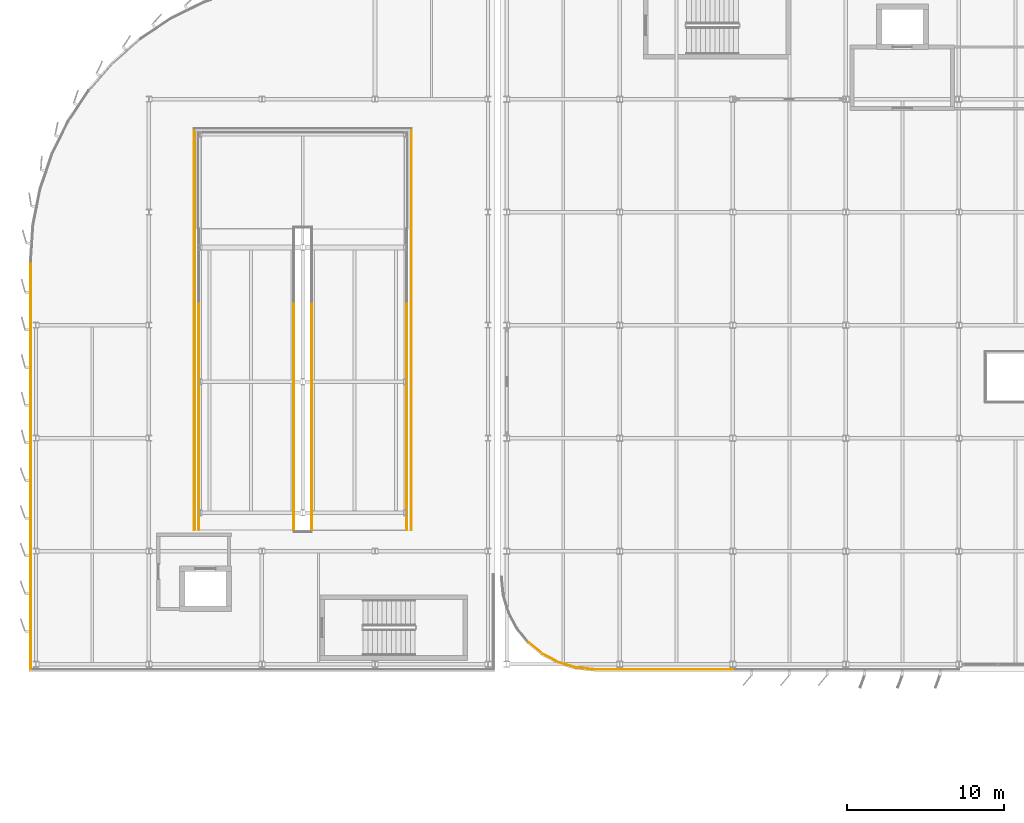
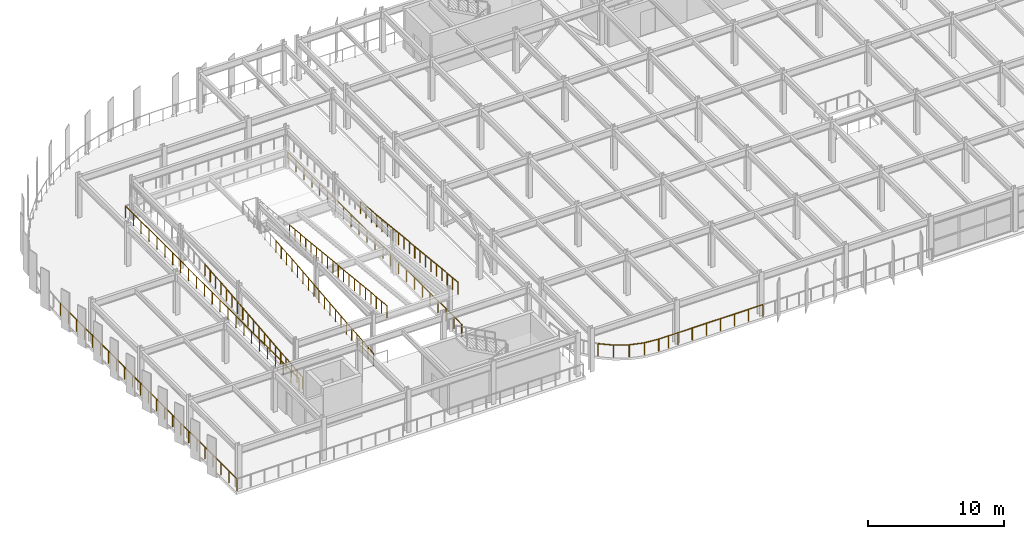
# One storey, part 43 of 52: 21 railings.
"""IFC4 building model written with IfcOpenShell, lengths in metres."""

import ifcopenshell
import ifcopenshell.guid

model = None  # the IFC model being written
_history = None  # IfcOwnerHistory: only IFC2X3 demands one
_inside = {}  # id of a spatial element -> (the spatial element, [elements in it])
_under = {}  # id of a project, library or spatial element -> (it, [spatial elements below it])
_declared = {}  # id of a project -> (the project, [libraries it declares])
_typed = {}  # id of a type object -> (the type object, [elements of that type])
_made_of = {}  # id of a material, layer set ... -> (it, [elements and type objects made of it])


def new_model(schema):
    """Start an empty IFC model of exactly this schema.

    Asked for "IFC4X3", IfcOpenShell would pick the latest addendum, in which some entities
    have other attributes; the version numbers below select the first issue.
    IFC2X3 requires an IfcOwnerHistory on every rooted entity: one is made here for all.
    """
    global model, _history
    if schema == "IFC4X3":
        model = ifcopenshell.file(schema_version=(4, 3, 0, 0))
    else:
        model = ifcopenshell.file(schema=schema)
    _inside.clear()
    _under.clear()
    _declared.clear()
    _typed.clear()
    _made_of.clear()
    _history = None
    if model.schema == "IFC2X3":
        org = make("IfcOrganization", Name="unknown")
        user = make(
            "IfcPersonAndOrganization",
            ThePerson=make("IfcPerson", FamilyName="unknown"),
            TheOrganization=org,
        )
        app = make(
            "IfcApplication",
            ApplicationDeveloper=org,
            Version="unknown",
            ApplicationFullName="unknown",
            ApplicationIdentifier="unknown",
        )
        _history = make(
            "IfcOwnerHistory",
            OwningUser=user,
            OwningApplication=app,
            ChangeAction="ADDED",
            CreationDate=0,
        )
    return model


def make(cls, **values):
    """One entity of the class cls with the attributes given. An attribute that is None is left unset."""
    return model.create_entity(
        cls, **{name: value for name, value in values.items() if value is not None}
    )


def rooted(cls, **values):
    """An entity with a GlobalId (a new one), such as an element, a storey or a relation."""
    return make(cls, GlobalId=ifcopenshell.guid.new(), OwnerHistory=_history, **values)


def si_unit(unit_type, name, prefix=None):
    """IfcSIUnit, for example si_unit("LENGTHUNIT", "METRE", prefix="MILLI")."""
    return make("IfcSIUnit", UnitType=unit_type, Prefix=prefix, Name=name)


def assignment(units):
    """IfcUnitAssignment: the units of a project."""
    return None if units is None else make("IfcUnitAssignment", Units=units)


def point(xyz):
    """IfcCartesianPoint."""
    return None if xyz is None else make("IfcCartesianPoint", Coordinates=xyz)


def direction(xyz):
    """IfcDirection."""
    return None if xyz is None else make("IfcDirection", DirectionRatios=xyz)


def frame(location, z_axis=None, x_axis=None):
    """IfcAxis2Placement3D, a coordinate frame: its origin and axes. An axis left out is left unset."""
    return make(
        "IfcAxis2Placement3D",
        Location=point(location),
        Axis=direction(z_axis),
        RefDirection=direction(x_axis),
    )


def frame_2d(location, x_axis=None):
    """IfcAxis2Placement2D, a coordinate frame in the plane: its origin and x axis."""
    return make(
        "IfcAxis2Placement2D", Location=point(location), RefDirection=direction(x_axis)
    )


def origin():
    """The frame at (0, 0, 0) with its axes left unset."""
    return frame((0.0, 0.0, 0.0))


def origin_2d():
    """The frame at (0, 0) in the plane with its x axis left unset."""
    return frame_2d((0.0, 0.0))


def place(relative_to, where):
    """IfcLocalPlacement: puts the frame where relative to a parent placement (None: the world)."""
    return make(
        "IfcLocalPlacement", PlacementRelTo=relative_to, RelativePlacement=where
    )


def context(
    kind, dimensions, precision=None, world=None, true_north=None, identifier=None
):
    """IfcGeometricRepresentationContext, for example the 3D "Model" context."""
    return make(
        "IfcGeometricRepresentationContext",
        ContextIdentifier=identifier,
        ContextType=kind,
        CoordinateSpaceDimension=dimensions,
        Precision=precision,
        WorldCoordinateSystem=world,
        TrueNorth=true_north,
    )


def subcontext(parent, identifier, kind, view, scale=None):
    """IfcGeometricRepresentationSubContext, for example "Body" below "Model"."""
    return make(
        "IfcGeometricRepresentationSubContext",
        ContextIdentifier=identifier,
        ContextType=kind,
        ParentContext=parent,
        TargetScale=scale,
        TargetView=view,
    )


def project(units=None, contexts=None):
    """IfcProject with its units and contexts."""
    return rooted(
        "IfcProject",
        Name="project",
        RepresentationContexts=contexts,
        UnitsInContext=assignment(units),
    )


def spatial(cls, under=None, at=None, **own):
    """A site, building, storey or space (cls), placed at a placement, below another one or the project."""
    s = rooted(cls, ObjectPlacement=at, **own)
    if under is not None:
        _under.setdefault(under.id(), (under, []))[1].append(s)
    return s


def profile(cls, at=None, kind="AREA", **sizes):
    """A parametric profile (cls). Its sizes go by their IFC names, for example OverallWidth=200.0."""
    return make(cls, ProfileType=kind, Position=at, **sizes)


def circle(**sizes):
    """IfcCircleProfileDef."""
    return profile("IfcCircleProfileDef", **sizes)


def extrude(swept, where, along, depth):
    """IfcExtrudedAreaSolid: the profile swept, set in the frame where, extruded along a direction by depth."""
    return make(
        "IfcExtrudedAreaSolid",
        SweptArea=swept,
        Position=where,
        ExtrudedDirection=direction(along),
        Depth=depth,
    )


def shape(context_of_items, identifier, shape_type, items):
    """IfcShapeRepresentation: the items that make up one representation, for example the "Body"."""
    return make(
        "IfcShapeRepresentation",
        ContextOfItems=context_of_items,
        RepresentationIdentifier=identifier,
        RepresentationType=shape_type,
        Items=items,
    )


def material(Name=None, Category=None):
    """IfcMaterial."""
    return make("IfcMaterial", Name=Name, Category=Category)


def layer(
    of_material, thickness, ventilated=None, Name=None, Category=None, Priority=None
):
    """IfcMaterialLayer: one layer of a wall or slab, of a material (None: an air gap)."""
    return make(
        "IfcMaterialLayer",
        Material=of_material,
        LayerThickness=thickness,
        IsVentilated=ventilated,
        Name=Name,
        Category=Category,
        Priority=Priority,
    )


def layer_set(layers, Name=None):
    """IfcMaterialLayerSet."""
    return make("IfcMaterialLayerSet", MaterialLayers=layers, LayerSetName=Name)


def made_of(thing, what):
    """Note that an element or type object is made of a material, layer set ...; save() writes the relation."""
    if what is not None:
        _made_of.setdefault(what.id(), (what, []))[1].append(thing)
    return thing


def type_object(cls, material=None, **own):
    """A type object (cls), such as IfcWallType, which elements share."""
    return made_of(rooted(cls, **own), material)


def element(
    cls,
    number,
    at=None,
    inside=None,
    cuts=None,
    type_object=None,
    material=None,
    context=None,
    identifier="Body",
    shape_type=None,
    held_by="IfcProductDefinitionShape",
    body=None,
    shapes=None,
    **own,
):
    """One element of the class cls, such as IfcWall. Its Tag is "e" and its number.

    at: its placement. inside: the storey or other place that contains it. cuts: it is an
    opening in that element (IfcRelVoidsElement). A single representation is given by context,
    identifier, shape_type and body (its items); several are given by shapes. held_by: the class
    of the entity that holds the representations. save() writes the other relations.
    """
    e = rooted(cls, Tag="e%d" % number, ObjectPlacement=at, **own)
    if body is not None:
        shapes = [shape(context, identifier, shape_type, body)]
    if shapes is not None:
        e.Representation = make(held_by, Representations=shapes)
    if inside is not None:
        _inside.setdefault(inside.id(), (inside, []))[1].append(e)
    if cuts is not None:
        rooted(
            "IfcRelVoidsElement", RelatingBuildingElement=cuts, RelatedOpeningElement=e
        )
    if type_object is not None:
        _typed.setdefault(type_object.id(), (type_object, []))[1].append(e)
    return made_of(e, material)


def aggregate(whole, parts):
    """IfcRelAggregates: a whole, such as a stair, and the parts it consists of."""
    return rooted("IfcRelAggregates", RelatingObject=whole, RelatedObjects=parts)


def save(model, path):
    """Write the relations noted so far, then the file.

    IfcRelAggregates (storeys below a building ...), IfcRelContainedInSpatialStructure (elements
    in a storey), IfcRelDefinesByType, IfcRelAssociatesMaterial and IfcRelDeclares: one each for
    every whole, place, type object, material and project.
    """
    for whole, parts in _under.values():
        aggregate(whole, parts)
    for where, things in _inside.values():
        rooted(
            "IfcRelContainedInSpatialStructure",
            RelatedElements=things,
            RelatingStructure=where,
        )
    for kind, things in _typed.values():
        rooted("IfcRelDefinesByType", RelatedObjects=things, RelatingType=kind)
    for what, things in _made_of.values():
        rooted("IfcRelAssociatesMaterial", RelatedObjects=things, RelatingMaterial=what)
    for by, libraries in _declared.values():
        rooted("IfcRelDeclares", RelatingContext=by, RelatedDefinitions=libraries)
    model.write(path)


model = new_model("IFC4")

# Units and contexts
model_context = context("Model", 3, precision=1e-05, world=origin(), true_north=direction((0.0, 1.0)))
body_context = subcontext(model_context, "Body", "Model", "MODEL_VIEW")
ifc_project = project(units=[si_unit("LENGTHUNIT", "METRE"), si_unit("AREAUNIT", "SQUARE_METRE"), si_unit("VOLUMEUNIT", "CUBIC_METRE"), si_unit("PLANEANGLEUNIT", "RADIAN"), si_unit("MASSUNIT", "GRAM", prefix="KILO")], contexts=[model_context])

# Site, building, storey
site_placement = place(None, origin())
site = spatial("IfcSite", under=ifc_project, at=site_placement, CompositionType="ELEMENT")
building_placement = place(site_placement, origin())
building = spatial("IfcBuilding", under=site, at=building_placement, Name="Vaelcorin Mobility Hub", CompositionType="ELEMENT")
storey_placement = place(building_placement, frame((0.0, 0.0, 13.199951171875)))
storey = spatial("IfcBuildingStorey", under=building, at=storey_placement, Name="L03", CompositionType="ELEMENT", Elevation=13.199951171875)

# Railings
ifc_material = material(Name="Galvanised structural steel ASTM A36", Category="steel")
ifc_layer = layer(ifc_material, 0.070068359375)
ifc_layer_set = layer_set([ifc_layer], Name="Galvanised structural steel ASTM A36")
railing_type = type_object("IfcRailingType", Name="RL-GUARD-1100", PredefinedType="BALUSTRADE", material=ifc_layer_set)
railing_1_placement = place(storey_placement, frame((37.39208984375, 78.19189453125, 0.0)))
element("IfcRailing", 1, at=railing_1_placement, inside=storey, type_object=railing_type, Name="L03 Perimeter Guard GR-V4-L03-S-01-05", PredefinedType="BALUSTRADE", context=body_context, shape_type="SweptSolid", body=[
    extrude(circle(Radius=0.02392578125, at=origin_2d()), frame((0.0, 0.0, 1.076171875), z_axis=(0.773078698183, -0.634310118487, 0.0), x_axis=(0.634310118487, 0.773078698183, 0.0)), (0.0, 0.0, 1.0), 1.15234375),
    extrude(circle(Radius=0.02099609375, at=origin_2d()), origin(), (0.0, 0.0, 1.0), 1.052001953125),
    extrude(circle(Radius=0.02099609375, at=origin_2d()), frame((0.890869140625, -0.73095703125, 0.0)), (0.0, 0.0, 1.0), 1.052001953125),
])
railing_2_placement = place(storey_placement, frame((38.282958984375, 77.4609375, 0.0)))
element("IfcRailing", 2, at=railing_2_placement, inside=storey, type_object=railing_type, Name="L03 Perimeter Guard GR-V4-L03-S-01-06", PredefinedType="BALUSTRADE", context=body_context, shape_type="SweptSolid", body=[
    extrude(circle(Radius=0.02392578125, at=origin_2d()), frame((0.0, 0.0, 1.076171875), z_axis=(0.882165297003, -0.470939899312, 0.0), x_axis=(0.470939899312, 0.882165297003, 0.0)), (0.0, 0.0, 1.0), 1.15283203125),
    extrude(circle(Radius=0.02099609375, at=origin_2d()), origin(), (0.0, 0.0, 1.0), 1.052001953125),
    extrude(circle(Radius=0.02099609375, at=origin_2d()), frame((1.01708984375, -0.54296875, 0.0)), (0.0, 0.0, 1.0), 1.052001953125),
])
railing_3_placement = place(storey_placement, frame((39.300048828125, 76.91796875, 0.0)))
element("IfcRailing", 3, at=railing_3_placement, inside=storey, type_object=railing_type, Name="L03 Perimeter Guard GR-V4-L03-S-01-07", PredefinedType="BALUSTRADE", context=body_context, shape_type="SweptSolid", body=[
    extrude(circle(Radius=0.02392578125, at=origin_2d()), frame((0.0, 0.0, 1.076171875), z_axis=(0.956853241075, -0.290571634961, 0.0), x_axis=(0.290571634961, 0.956853241075, 0.0)), (0.0, 0.0, 1.0), 1.15283203125),
    extrude(circle(Radius=0.02099609375, at=origin_2d()), origin(), (0.0, 0.0, 1.0), 1.052001953125),
    extrude(circle(Radius=0.02099609375, at=origin_2d()), frame((1.10302734375, -0.3349609375, 0.0)), (0.0, 0.0, 1.0), 1.052001953125),
])
railing_4_placement = place(storey_placement, frame((40.403076171875, 76.5830078125, 0.0)))
element("IfcRailing", 4, at=railing_4_placement, inside=storey, type_object=railing_type, Name="L03 Perimeter Guard GR-V4-L03-S-01-08", PredefinedType="BALUSTRADE", context=body_context, shape_type="SweptSolid", body=[
    extrude(circle(Radius=0.02392578125, at=origin_2d()), frame((0.0, 0.0, 1.076171875), z_axis=(0.995178786561, -0.098077432562, 0.0), x_axis=(0.098077432562, 0.995178786561, 0.0)), (0.0, 0.0, 1.0), 1.152587890625),
    extrude(circle(Radius=0.02099609375, at=origin_2d()), origin(), (0.0, 0.0, 1.0), 1.052001953125),
    extrude(circle(Radius=0.02099609375, at=origin_2d()), frame((1.14697265625, -0.113037109375, 0.0)), (0.0, 0.0, 1.0), 1.052001953125),
])
railing_5_placement = place(storey_placement, frame((41.550048828125, 76.469970703125, 0.0)))
element("IfcRailing", 5, at=railing_5_placement, inside=storey, type_object=railing_type, Name="L03 Perimeter Guard GR-V4-L03-S-01-09", PredefinedType="BALUSTRADE", context=body_context, shape_type="SweptSolid", body=[
    extrude(circle(Radius=0.02392578125, at=origin_2d()), frame((0.0, 0.0, 1.076171875), z_axis=(1.0, 0.0, 0.0), x_axis=(0.0, 1.0, 0.0)), (0.0, 0.0, 1.0), 1.64990234375),
    extrude(circle(Radius=0.02099609375, at=origin_2d()), origin(), (0.0, 0.0, 1.0), 1.052001953125),
    extrude(circle(Radius=0.02099609375, at=origin_2d()), frame((0.824951171875, 0.0, 0.0)), (0.0, 0.0, 1.0), 1.052001953125),
    extrude(circle(Radius=0.02099609375, at=origin_2d()), frame((1.64990234375, 0.0, 0.0)), (0.0, 0.0, 1.0), 1.052001953125),
])
railing_6_placement = place(storey_placement, frame((43.199951171875, 76.469970703125, 0.0)))
element("IfcRailing", 6, at=railing_6_placement, inside=storey, type_object=railing_type, Name="L03 Perimeter Guard GR-V4-L03-S-02-01", PredefinedType="BALUSTRADE", context=body_context, shape_type="SweptSolid", body=[
    extrude(circle(Radius=0.02392578125, at=origin_2d()), frame((0.0, 0.0, 1.076171875), z_axis=(1.0, 0.0, 0.0), x_axis=(0.0, 1.0, 0.0)), (0.0, 0.0, 1.0), 7.199951171875),
    extrude(circle(Radius=0.02099609375, at=origin_2d()), origin(), (0.0, 0.0, 1.0), 1.052001953125),
    extrude(circle(Radius=0.02099609375, at=origin_2d()), frame((1.199951171875, 0.0, 0.0)), (0.0, 0.0, 1.0), 1.052001953125),
    extrude(circle(Radius=0.02099609375, at=origin_2d()), frame((2.39990234375, 0.0, 0.0)), (0.0, 0.0, 1.0), 1.052001953125),
    extrude(circle(Radius=0.02099609375, at=origin_2d()), frame((3.60009765625, 0.0, 0.0)), (0.0, 0.0, 1.0), 1.052001953125),
    extrude(circle(Radius=0.02099609375, at=origin_2d()), frame((4.800048828125, 0.0, 0.0)), (0.0, 0.0, 1.0), 1.052001953125),
    extrude(circle(Radius=0.02099609375, at=origin_2d()), frame((6.0, 0.0, 0.0)), (0.0, 0.0, 1.0), 1.052001953125),
    extrude(circle(Radius=0.02099609375, at=origin_2d()), frame((7.199951171875, 0.0, 0.0)), (0.0, 0.0, 1.0), 1.052001953125),
])
railing_7_placement = place(storey_placement, frame((16.080078125, 85.340087890625, 0.0)))
element("IfcRailing", 7, at=railing_7_placement, inside=storey, type_object=railing_type, Name="L03 Perimeter Guard GR-V2W-L03-WELL-01", PredefinedType="BALUSTRADE", context=body_context, shape_type="SweptSolid", body=[
    extrude(circle(Radius=0.02392578125, at=origin_2d()), frame((0.0, 0.0, 1.076171875), z_axis=(0.0, 1.0, 0.0), x_axis=(-1.0, 0.0, 0.0)), (0.0, 0.0, 1.0), 25.579833984375),
    extrude(circle(Radius=0.02099609375, at=origin_2d()), origin(), (0.0, 0.0, 1.0), 1.052001953125),
    extrude(circle(Radius=0.02099609375, at=origin_2d()), frame((0.0, 1.16259765625, 0.0)), (0.0, 0.0, 1.0), 1.052001953125),
    extrude(circle(Radius=0.02099609375, at=origin_2d()), frame((0.0, 2.325439453125, 0.0)), (0.0, 0.0, 1.0), 1.052001953125),
    extrude(circle(Radius=0.02099609375, at=origin_2d()), frame((0.0, 3.488037109375, 0.0)), (0.0, 0.0, 1.0), 1.052001953125),
    extrude(circle(Radius=0.02099609375, at=origin_2d()), frame((0.0, 4.65087890625, 0.0)), (0.0, 0.0, 1.0), 1.052001953125),
    extrude(circle(Radius=0.02099609375, at=origin_2d()), frame((0.0, 5.8134765625, 0.0)), (0.0, 0.0, 1.0), 1.052001953125),
    extrude(circle(Radius=0.02099609375, at=origin_2d()), frame((0.0, 6.976318359375, 0.0)), (0.0, 0.0, 1.0), 1.052001953125),
    extrude(circle(Radius=0.02099609375, at=origin_2d()), frame((0.0, 8.13916015625, 0.0)), (0.0, 0.0, 1.0), 1.052001953125),
    extrude(circle(Radius=0.02099609375, at=origin_2d()), frame((0.0, 9.3017578125, 0.0)), (0.0, 0.0, 1.0), 1.052001953125),
    extrude(circle(Radius=0.02099609375, at=origin_2d()), frame((0.0, 10.46435546875, 0.0)), (0.0, 0.0, 1.0), 1.052001953125),
    extrude(circle(Radius=0.02099609375, at=origin_2d()), frame((0.0, 11.627197265625, 0.0)), (0.0, 0.0, 1.0), 1.052001953125),
    extrude(circle(Radius=0.02099609375, at=origin_2d()), frame((0.0, 12.7900390625, 0.0)), (0.0, 0.0, 1.0), 1.052001953125),
    extrude(circle(Radius=0.02099609375, at=origin_2d()), frame((0.0, 13.95263671875, 0.0)), (0.0, 0.0, 1.0), 1.052001953125),
    extrude(circle(Radius=0.02099609375, at=origin_2d()), frame((0.0, 15.115234375, 0.0)), (0.0, 0.0, 1.0), 1.052001953125),
    extrude(circle(Radius=0.02099609375, at=origin_2d()), frame((0.0, 16.278076171875, 0.0)), (0.0, 0.0, 1.0), 1.052001953125),
    extrude(circle(Radius=0.02099609375, at=origin_2d()), frame((0.0, 17.44091796875, 0.0)), (0.0, 0.0, 1.0), 1.052001953125),
    extrude(circle(Radius=0.02099609375, at=origin_2d()), frame((0.0, 18.603515625, 0.0)), (0.0, 0.0, 1.0), 1.052001953125),
    extrude(circle(Radius=0.02099609375, at=origin_2d()), frame((0.0, 19.76611328125, 0.0)), (0.0, 0.0, 1.0), 1.052001953125),
    extrude(circle(Radius=0.02099609375, at=origin_2d()), frame((0.0, 20.928955078125, 0.0)), (0.0, 0.0, 1.0), 1.052001953125),
    extrude(circle(Radius=0.02099609375, at=origin_2d()), frame((0.0, 22.091796875, 0.0)), (0.0, 0.0, 1.0), 1.052001953125),
    extrude(circle(Radius=0.02099609375, at=origin_2d()), frame((0.0, 23.25439453125, 0.0)), (0.0, 0.0, 1.0), 1.052001953125),
    extrude(circle(Radius=0.02099609375, at=origin_2d()), frame((0.0, 24.4169921875, 0.0)), (0.0, 0.0, 1.0), 1.052001953125),
    extrude(circle(Radius=0.02099609375, at=origin_2d()), frame((0.0, 25.579833984375, 0.0)), (0.0, 0.0, 1.0), 1.052001953125),
])
railing_8_placement = place(storey_placement, frame((29.919921875, 110.919921875, 0.0)))
element("IfcRailing", 8, at=railing_8_placement, inside=storey, type_object=railing_type, Name="L03 Perimeter Guard GR-V2W-L03-WELL-03", PredefinedType="BALUSTRADE", context=body_context, shape_type="SweptSolid", body=[
    extrude(circle(Radius=0.02392578125, at=origin_2d()), frame((0.0, 0.0, 1.076171875), z_axis=(0.0, -1.0, 0.0), x_axis=(1.0, 0.0, 0.0)), (0.0, 0.0, 1.0), 25.579833984375),
    extrude(circle(Radius=0.02099609375, at=origin_2d()), origin(), (0.0, 0.0, 1.0), 1.052001953125),
    extrude(circle(Radius=0.02099609375, at=origin_2d()), frame((0.0, -1.16259765625, 0.0)), (0.0, 0.0, 1.0), 1.052001953125),
    extrude(circle(Radius=0.02099609375, at=origin_2d()), frame((0.0, -2.325439453125, 0.0)), (0.0, 0.0, 1.0), 1.052001953125),
    extrude(circle(Radius=0.02099609375, at=origin_2d()), frame((0.0, -3.488037109375, 0.0)), (0.0, 0.0, 1.0), 1.052001953125),
    extrude(circle(Radius=0.02099609375, at=origin_2d()), frame((0.0, -4.65087890625, 0.0)), (0.0, 0.0, 1.0), 1.052001953125),
    extrude(circle(Radius=0.02099609375, at=origin_2d()), frame((0.0, -5.8134765625, 0.0)), (0.0, 0.0, 1.0), 1.052001953125),
    extrude(circle(Radius=0.02099609375, at=origin_2d()), frame((0.0, -6.976318359375, 0.0)), (0.0, 0.0, 1.0), 1.052001953125),
    extrude(circle(Radius=0.02099609375, at=origin_2d()), frame((0.0, -8.13916015625, 0.0)), (0.0, 0.0, 1.0), 1.052001953125),
    extrude(circle(Radius=0.02099609375, at=origin_2d()), frame((0.0, -9.3017578125, 0.0)), (0.0, 0.0, 1.0), 1.052001953125),
    extrude(circle(Radius=0.02099609375, at=origin_2d()), frame((0.0, -10.46435546875, 0.0)), (0.0, 0.0, 1.0), 1.052001953125),
    extrude(circle(Radius=0.02099609375, at=origin_2d()), frame((0.0, -11.627197265625, 0.0)), (0.0, 0.0, 1.0), 1.052001953125),
    extrude(circle(Radius=0.02099609375, at=origin_2d()), frame((0.0, -12.7900390625, 0.0)), (0.0, 0.0, 1.0), 1.052001953125),
    extrude(circle(Radius=0.02099609375, at=origin_2d()), frame((0.0, -13.95263671875, 0.0)), (0.0, 0.0, 1.0), 1.052001953125),
    extrude(circle(Radius=0.02099609375, at=origin_2d()), frame((0.0, -15.115234375, 0.0)), (0.0, 0.0, 1.0), 1.052001953125),
    extrude(circle(Radius=0.02099609375, at=origin_2d()), frame((0.0, -16.278076171875, 0.0)), (0.0, 0.0, 1.0), 1.052001953125),
    extrude(circle(Radius=0.02099609375, at=origin_2d()), frame((0.0, -17.44091796875, 0.0)), (0.0, 0.0, 1.0), 1.052001953125),
    extrude(circle(Radius=0.02099609375, at=origin_2d()), frame((0.0, -18.603515625, 0.0)), (0.0, 0.0, 1.0), 1.052001953125),
    extrude(circle(Radius=0.02099609375, at=origin_2d()), frame((0.0, -19.76611328125, 0.0)), (0.0, 0.0, 1.0), 1.052001953125),
    extrude(circle(Radius=0.02099609375, at=origin_2d()), frame((0.0, -20.928955078125, 0.0)), (0.0, 0.0, 1.0), 1.052001953125),
    extrude(circle(Radius=0.02099609375, at=origin_2d()), frame((0.0, -22.091796875, 0.0)), (0.0, 0.0, 1.0), 1.052001953125),
    extrude(circle(Radius=0.02099609375, at=origin_2d()), frame((0.0, -23.25439453125, 0.0)), (0.0, 0.0, 1.0), 1.052001953125),
    extrude(circle(Radius=0.02099609375, at=origin_2d()), frame((0.0, -24.4169921875, 0.0)), (0.0, 0.0, 1.0), 1.052001953125),
    extrude(circle(Radius=0.02099609375, at=origin_2d()), frame((0.0, -25.579833984375, 0.0)), (0.0, 0.0, 1.0), 1.052001953125),
])
railing_9_placement = place(storey_placement, frame((16.3798828125, 85.360107421875, 0.0)))
element("IfcRailing", 9, at=railing_9_placement, inside=storey, type_object=railing_type, Name="L03 Ramp Guard GR-V2W-L03-FL1-W-01", PredefinedType="BALUSTRADE", context=body_context, shape_type="SweptSolid", body=[
    extrude(circle(Radius=0.02392578125, at=origin_2d()), frame((0.0, 0.0, 1.076171875), z_axis=(0.0, 0.994860105467, 0.10125892825), x_axis=(-1.0, 0.0, 0.0)), (0.0, 0.0, 1.0), 4.819580078125),
    extrude(circle(Radius=0.02099609375, at=origin_2d()), origin(), (0.0, 0.0, 1.0), 1.052001953125),
    extrude(circle(Radius=0.02099609375, at=origin_2d()), frame((0.0, 0.799072265625, 0.081298828125)), (0.0, 0.0, 1.0), 1.052001953125),
    extrude(circle(Radius=0.02099609375, at=origin_2d()), frame((0.0, 1.598388671875, 0.16259765625)), (0.0, 0.0, 1.0), 1.052001953125),
    extrude(circle(Radius=0.02099609375, at=origin_2d()), frame((0.0, 2.3974609375, 0.244140625)), (0.0, 0.0, 1.0), 1.052001953125),
    extrude(circle(Radius=0.02099609375, at=origin_2d()), frame((0.0, 3.196533203125, 0.325439453125)), (0.0, 0.0, 1.0), 1.052001953125),
    extrude(circle(Radius=0.02099609375, at=origin_2d()), frame((0.0, 3.995849609375, 0.40673828125)), (0.0, 0.0, 1.0), 1.052001953125),
    extrude(circle(Radius=0.02099609375, at=origin_2d()), frame((0.0, 4.794921875, 0.488037109375)), (0.0, 0.0, 1.0), 1.052001953125),
])
railing_10_placement = place(storey_placement, frame((16.3798828125, 90.155029296875, 0.488037109375)))
element("IfcRailing", 10, at=railing_10_placement, inside=storey, type_object=railing_type, Name="L03 Ramp Guard GR-V2W-L03-FL1-W-02", PredefinedType="BALUSTRADE", context=body_context, shape_type="SweptSolid", body=[
    extrude(circle(Radius=0.02392578125, at=origin_2d()), frame((0.0, 0.0, 1.076171875), z_axis=(0.0, 0.994880497217, 0.101058380445), x_axis=(-1.0, 0.0, 0.0)), (0.0, 0.0, 1.0), 4.819580078125),
    extrude(circle(Radius=0.02099609375, at=origin_2d()), origin(), (0.0, 0.0, 1.0), 1.052001953125),
    extrude(circle(Radius=0.02099609375, at=origin_2d()), frame((0.0, 0.799072265625, 0.0810546875)), (0.0, 0.0, 1.0), 1.052001953125),
    extrude(circle(Radius=0.02099609375, at=origin_2d()), frame((0.0, 1.598388671875, 0.162353515625)), (0.0, 0.0, 1.0), 1.052001953125),
    extrude(circle(Radius=0.02099609375, at=origin_2d()), frame((0.0, 2.3974609375, 0.24365234375)), (0.0, 0.0, 1.0), 1.052001953125),
    extrude(circle(Radius=0.02099609375, at=origin_2d()), frame((0.0, 3.196533203125, 0.32470703125)), (0.0, 0.0, 1.0), 1.052001953125),
    extrude(circle(Radius=0.02099609375, at=origin_2d()), frame((0.0, 3.995849609375, 0.40576171875)), (0.0, 0.0, 1.0), 1.052001953125),
    extrude(circle(Radius=0.02099609375, at=origin_2d()), frame((0.0, 4.794921875, 0.487060546875)), (0.0, 0.0, 1.0), 1.052001953125),
])
railing_11_placement = place(storey_placement, frame((16.3798828125, 94.949951171875, 0.97509765625)))
element("IfcRailing", 11, at=railing_11_placement, inside=storey, type_object=railing_type, Name="L03 Ramp Guard GR-V2W-L03-FL1-W-03", PredefinedType="BALUSTRADE", context=body_context, shape_type="SweptSolid", body=[
    extrude(circle(Radius=0.02392578125, at=origin_2d()), frame((0.0, 0.0, 1.076171875), z_axis=(0.0, 0.994881014515, 0.101053287712), x_axis=(-1.0, 0.0, 0.0)), (0.0, 0.0, 1.0), 4.81982421875),
    extrude(circle(Radius=0.02099609375, at=origin_2d()), origin(), (0.0, 0.0, 1.0), 1.052001953125),
    extrude(circle(Radius=0.02099609375, at=origin_2d()), frame((0.0, 0.79931640625, 0.0810546875)), (0.0, 0.0, 1.0), 1.052001953125),
    extrude(circle(Radius=0.02099609375, at=origin_2d()), frame((0.0, 1.598388671875, 0.162353515625)), (0.0, 0.0, 1.0), 1.052001953125),
    extrude(circle(Radius=0.02099609375, at=origin_2d()), frame((0.0, 2.3974609375, 0.24365234375)), (0.0, 0.0, 1.0), 1.052001953125),
    extrude(circle(Radius=0.02099609375, at=origin_2d()), frame((0.0, 3.19677734375, 0.32470703125)), (0.0, 0.0, 1.0), 1.052001953125),
    extrude(circle(Radius=0.02099609375, at=origin_2d()), frame((0.0, 3.99609375, 0.40576171875)), (0.0, 0.0, 1.0), 1.052001953125),
    extrude(circle(Radius=0.02099609375, at=origin_2d()), frame((0.0, 4.795166015625, 0.487060546875)), (0.0, 0.0, 1.0), 1.052001953125),
])
railing_12_placement = place(storey_placement, frame((22.419921875, 85.360107421875, 0.0)))
element("IfcRailing", 12, at=railing_12_placement, inside=storey, type_object=railing_type, Name="L03 Ramp Guard GR-V2W-L03-FL1-E-01", PredefinedType="BALUSTRADE", context=body_context, shape_type="SweptSolid", body=[
    extrude(circle(Radius=0.02392578125, at=origin_2d()), frame((0.0, 0.0, 1.076171875), z_axis=(0.0, 0.994860105467, 0.10125892825), x_axis=(-1.0, 0.0, 0.0)), (0.0, 0.0, 1.0), 4.819580078125),
    extrude(circle(Radius=0.02099609375, at=origin_2d()), origin(), (0.0, 0.0, 1.0), 1.052001953125),
    extrude(circle(Radius=0.02099609375, at=origin_2d()), frame((0.0, 0.799072265625, 0.081298828125)), (0.0, 0.0, 1.0), 1.052001953125),
    extrude(circle(Radius=0.02099609375, at=origin_2d()), frame((0.0, 1.598388671875, 0.16259765625)), (0.0, 0.0, 1.0), 1.052001953125),
    extrude(circle(Radius=0.02099609375, at=origin_2d()), frame((0.0, 2.3974609375, 0.244140625)), (0.0, 0.0, 1.0), 1.052001953125),
    extrude(circle(Radius=0.02099609375, at=origin_2d()), frame((0.0, 3.196533203125, 0.325439453125)), (0.0, 0.0, 1.0), 1.052001953125),
    extrude(circle(Radius=0.02099609375, at=origin_2d()), frame((0.0, 3.995849609375, 0.40673828125)), (0.0, 0.0, 1.0), 1.052001953125),
    extrude(circle(Radius=0.02099609375, at=origin_2d()), frame((0.0, 4.794921875, 0.488037109375)), (0.0, 0.0, 1.0), 1.052001953125),
])
railing_13_placement = place(storey_placement, frame((22.419921875, 90.155029296875, 0.488037109375)))
element("IfcRailing", 13, at=railing_13_placement, inside=storey, type_object=railing_type, Name="L03 Ramp Guard GR-V2W-L03-FL1-E-02", PredefinedType="BALUSTRADE", context=body_context, shape_type="SweptSolid", body=[
    extrude(circle(Radius=0.02392578125, at=origin_2d()), frame((0.0, 0.0, 1.076171875), z_axis=(0.0, 0.994880497217, 0.101058380445), x_axis=(-1.0, 0.0, 0.0)), (0.0, 0.0, 1.0), 4.819580078125),
    extrude(circle(Radius=0.02099609375, at=origin_2d()), origin(), (0.0, 0.0, 1.0), 1.052001953125),
    extrude(circle(Radius=0.02099609375, at=origin_2d()), frame((0.0, 0.799072265625, 0.0810546875)), (0.0, 0.0, 1.0), 1.052001953125),
    extrude(circle(Radius=0.02099609375, at=origin_2d()), frame((0.0, 1.598388671875, 0.162353515625)), (0.0, 0.0, 1.0), 1.052001953125),
    extrude(circle(Radius=0.02099609375, at=origin_2d()), frame((0.0, 2.3974609375, 0.24365234375)), (0.0, 0.0, 1.0), 1.052001953125),
    extrude(circle(Radius=0.02099609375, at=origin_2d()), frame((0.0, 3.196533203125, 0.32470703125)), (0.0, 0.0, 1.0), 1.052001953125),
    extrude(circle(Radius=0.02099609375, at=origin_2d()), frame((0.0, 3.995849609375, 0.40576171875)), (0.0, 0.0, 1.0), 1.052001953125),
    extrude(circle(Radius=0.02099609375, at=origin_2d()), frame((0.0, 4.794921875, 0.487060546875)), (0.0, 0.0, 1.0), 1.052001953125),
])
railing_14_placement = place(storey_placement, frame((22.419921875, 94.949951171875, 0.97509765625)))
element("IfcRailing", 14, at=railing_14_placement, inside=storey, type_object=railing_type, Name="L03 Ramp Guard GR-V2W-L03-FL1-E-03", PredefinedType="BALUSTRADE", context=body_context, shape_type="SweptSolid", body=[
    extrude(circle(Radius=0.02392578125, at=origin_2d()), frame((0.0, 0.0, 1.076171875), z_axis=(0.0, 0.994881014515, 0.101053287712), x_axis=(-1.0, 0.0, 0.0)), (0.0, 0.0, 1.0), 4.81982421875),
    extrude(circle(Radius=0.02099609375, at=origin_2d()), origin(), (0.0, 0.0, 1.0), 1.052001953125),
    extrude(circle(Radius=0.02099609375, at=origin_2d()), frame((0.0, 0.79931640625, 0.0810546875)), (0.0, 0.0, 1.0), 1.052001953125),
    extrude(circle(Radius=0.02099609375, at=origin_2d()), frame((0.0, 1.598388671875, 0.162353515625)), (0.0, 0.0, 1.0), 1.052001953125),
    extrude(circle(Radius=0.02099609375, at=origin_2d()), frame((0.0, 2.3974609375, 0.24365234375)), (0.0, 0.0, 1.0), 1.052001953125),
    extrude(circle(Radius=0.02099609375, at=origin_2d()), frame((0.0, 3.19677734375, 0.32470703125)), (0.0, 0.0, 1.0), 1.052001953125),
    extrude(circle(Radius=0.02099609375, at=origin_2d()), frame((0.0, 3.99609375, 0.40576171875)), (0.0, 0.0, 1.0), 1.052001953125),
    extrude(circle(Radius=0.02099609375, at=origin_2d()), frame((0.0, 4.795166015625, 0.487060546875)), (0.0, 0.0, 1.0), 1.052001953125),
])
railing_15_placement = place(storey_placement, frame((23.580078125, 99.7451171875, 2.43798828125)))
element("IfcRailing", 15, at=railing_15_placement, inside=storey, type_object=railing_type, Name="L03 Ramp Guard GR-V2W-L03-FL2-W-02", PredefinedType="BALUSTRADE", context=body_context, shape_type="SweptSolid", body=[
    extrude(circle(Radius=0.02392578125, at=origin_2d()), frame((0.0, 0.0, 1.076171875), z_axis=(0.0, -0.994881014515, 0.101053287712), x_axis=(1.0, 0.0, 0.0)), (0.0, 0.0, 1.0), 4.81982421875),
    extrude(circle(Radius=0.02099609375, at=origin_2d()), origin(), (0.0, 0.0, 1.0), 1.052001953125),
    extrude(circle(Radius=0.02099609375, at=origin_2d()), frame((0.0, -0.79931640625, 0.0810546875)), (0.0, 0.0, 1.0), 1.052001953125),
    extrude(circle(Radius=0.02099609375, at=origin_2d()), frame((0.0, -1.598388671875, 0.162353515625)), (0.0, 0.0, 1.0), 1.052001953125),
    extrude(circle(Radius=0.02099609375, at=origin_2d()), frame((0.0, -2.3974609375, 0.24365234375)), (0.0, 0.0, 1.0), 1.052001953125),
    extrude(circle(Radius=0.02099609375, at=origin_2d()), frame((0.0, -3.19677734375, 0.32470703125)), (0.0, 0.0, 1.0), 1.052001953125),
    extrude(circle(Radius=0.02099609375, at=origin_2d()), frame((0.0, -3.99609375, 0.40576171875)), (0.0, 0.0, 1.0), 1.052001953125),
    extrude(circle(Radius=0.02099609375, at=origin_2d()), frame((0.0, -4.795166015625, 0.487060546875)), (0.0, 0.0, 1.0), 1.052001953125),
])
railing_16_placement = place(storey_placement, frame((23.580078125, 94.949951171875, 2.925048828125)))
element("IfcRailing", 16, at=railing_16_placement, inside=storey, type_object=railing_type, Name="L03 Ramp Guard GR-V2W-L03-FL2-W-03", PredefinedType="BALUSTRADE", context=body_context, shape_type="SweptSolid", body=[
    extrude(circle(Radius=0.02392578125, at=origin_2d()), frame((0.0, 0.0, 1.076171875), z_axis=(0.0, -0.994880497217, 0.101058380445), x_axis=(1.0, 0.0, 0.0)), (0.0, 0.0, 1.0), 4.819580078125),
    extrude(circle(Radius=0.02099609375, at=origin_2d()), origin(), (0.0, 0.0, 1.0), 1.052001953125),
    extrude(circle(Radius=0.02099609375, at=origin_2d()), frame((0.0, -0.799072265625, 0.0810546875)), (0.0, 0.0, 1.0), 1.052001953125),
    extrude(circle(Radius=0.02099609375, at=origin_2d()), frame((0.0, -1.598388671875, 0.162353515625)), (0.0, 0.0, 1.0), 1.052001953125),
    extrude(circle(Radius=0.02099609375, at=origin_2d()), frame((0.0, -2.3974609375, 0.24365234375)), (0.0, 0.0, 1.0), 1.052001953125),
    extrude(circle(Radius=0.02099609375, at=origin_2d()), frame((0.0, -3.196533203125, 0.32470703125)), (0.0, 0.0, 1.0), 1.052001953125),
    extrude(circle(Radius=0.02099609375, at=origin_2d()), frame((0.0, -3.995849609375, 0.40576171875)), (0.0, 0.0, 1.0), 1.052001953125),
    extrude(circle(Radius=0.02099609375, at=origin_2d()), frame((0.0, -4.794921875, 0.487060546875)), (0.0, 0.0, 1.0), 1.052001953125),
])
railing_17_placement = place(storey_placement, frame((23.580078125, 90.155029296875, 3.412109375)))
element("IfcRailing", 17, at=railing_17_placement, inside=storey, type_object=railing_type, Name="L03 Ramp Guard GR-V2W-L03-FL2-W-04", PredefinedType="BALUSTRADE", context=body_context, shape_type="SweptSolid", body=[
    extrude(circle(Radius=0.02392578125, at=origin_2d()), frame((0.0, 0.0, 1.076171875), z_axis=(0.0, -0.994860105467, 0.10125892825), x_axis=(1.0, 0.0, 0.0)), (0.0, 0.0, 1.0), 4.819580078125),
    extrude(circle(Radius=0.02099609375, at=origin_2d()), origin(), (0.0, 0.0, 1.0), 1.052001953125),
    extrude(circle(Radius=0.02099609375, at=origin_2d()), frame((0.0, -0.799072265625, 0.081298828125)), (0.0, 0.0, 1.0), 1.052001953125),
    extrude(circle(Radius=0.02099609375, at=origin_2d()), frame((0.0, -1.598388671875, 0.16259765625)), (0.0, 0.0, 1.0), 1.052001953125),
    extrude(circle(Radius=0.02099609375, at=origin_2d()), frame((0.0, -2.3974609375, 0.244140625)), (0.0, 0.0, 1.0), 1.052001953125),
    extrude(circle(Radius=0.02099609375, at=origin_2d()), frame((0.0, -3.196533203125, 0.325439453125)), (0.0, 0.0, 1.0), 1.052001953125),
    extrude(circle(Radius=0.02099609375, at=origin_2d()), frame((0.0, -3.995849609375, 0.40673828125)), (0.0, 0.0, 1.0), 1.052001953125),
    extrude(circle(Radius=0.02099609375, at=origin_2d()), frame((0.0, -4.794921875, 0.488037109375)), (0.0, 0.0, 1.0), 1.052001953125),
])
railing_18_placement = place(storey_placement, frame((29.6201171875, 99.7451171875, 2.43798828125)))
element("IfcRailing", 18, at=railing_18_placement, inside=storey, type_object=railing_type, Name="L03 Ramp Guard GR-V2W-L03-FL2-E-02", PredefinedType="BALUSTRADE", context=body_context, shape_type="SweptSolid", body=[
    extrude(circle(Radius=0.02392578125, at=origin_2d()), frame((0.0, 0.0, 1.076171875), z_axis=(0.0, -0.994881014515, 0.101053287712), x_axis=(1.0, 0.0, 0.0)), (0.0, 0.0, 1.0), 4.81982421875),
    extrude(circle(Radius=0.02099609375, at=origin_2d()), origin(), (0.0, 0.0, 1.0), 1.052001953125),
    extrude(circle(Radius=0.02099609375, at=origin_2d()), frame((0.0, -0.79931640625, 0.0810546875)), (0.0, 0.0, 1.0), 1.052001953125),
    extrude(circle(Radius=0.02099609375, at=origin_2d()), frame((0.0, -1.598388671875, 0.162353515625)), (0.0, 0.0, 1.0), 1.052001953125),
    extrude(circle(Radius=0.02099609375, at=origin_2d()), frame((0.0, -2.3974609375, 0.24365234375)), (0.0, 0.0, 1.0), 1.052001953125),
    extrude(circle(Radius=0.02099609375, at=origin_2d()), frame((0.0, -3.19677734375, 0.32470703125)), (0.0, 0.0, 1.0), 1.052001953125),
    extrude(circle(Radius=0.02099609375, at=origin_2d()), frame((0.0, -3.99609375, 0.40576171875)), (0.0, 0.0, 1.0), 1.052001953125),
    extrude(circle(Radius=0.02099609375, at=origin_2d()), frame((0.0, -4.795166015625, 0.487060546875)), (0.0, 0.0, 1.0), 1.052001953125),
])
railing_19_placement = place(storey_placement, frame((29.6201171875, 94.949951171875, 2.925048828125)))
element("IfcRailing", 19, at=railing_19_placement, inside=storey, type_object=railing_type, Name="L03 Ramp Guard GR-V2W-L03-FL2-E-03", PredefinedType="BALUSTRADE", context=body_context, shape_type="SweptSolid", body=[
    extrude(circle(Radius=0.02392578125, at=origin_2d()), frame((0.0, 0.0, 1.076171875), z_axis=(0.0, -0.994880497217, 0.101058380445), x_axis=(1.0, 0.0, 0.0)), (0.0, 0.0, 1.0), 4.819580078125),
    extrude(circle(Radius=0.02099609375, at=origin_2d()), origin(), (0.0, 0.0, 1.0), 1.052001953125),
    extrude(circle(Radius=0.02099609375, at=origin_2d()), frame((0.0, -0.799072265625, 0.0810546875)), (0.0, 0.0, 1.0), 1.052001953125),
    extrude(circle(Radius=0.02099609375, at=origin_2d()), frame((0.0, -1.598388671875, 0.162353515625)), (0.0, 0.0, 1.0), 1.052001953125),
    extrude(circle(Radius=0.02099609375, at=origin_2d()), frame((0.0, -2.3974609375, 0.24365234375)), (0.0, 0.0, 1.0), 1.052001953125),
    extrude(circle(Radius=0.02099609375, at=origin_2d()), frame((0.0, -3.196533203125, 0.32470703125)), (0.0, 0.0, 1.0), 1.052001953125),
    extrude(circle(Radius=0.02099609375, at=origin_2d()), frame((0.0, -3.995849609375, 0.40576171875)), (0.0, 0.0, 1.0), 1.052001953125),
    extrude(circle(Radius=0.02099609375, at=origin_2d()), frame((0.0, -4.794921875, 0.487060546875)), (0.0, 0.0, 1.0), 1.052001953125),
])
railing_20_placement = place(storey_placement, frame((29.6201171875, 90.155029296875, 3.412109375)))
element("IfcRailing", 20, at=railing_20_placement, inside=storey, type_object=railing_type, Name="L03 Ramp Guard GR-V2W-L03-FL2-E-04", PredefinedType="BALUSTRADE", context=body_context, shape_type="SweptSolid", body=[
    extrude(circle(Radius=0.02392578125, at=origin_2d()), frame((0.0, 0.0, 1.076171875), z_axis=(0.0, -0.994860105467, 0.10125892825), x_axis=(1.0, 0.0, 0.0)), (0.0, 0.0, 1.0), 4.819580078125),
    extrude(circle(Radius=0.02099609375, at=origin_2d()), origin(), (0.0, 0.0, 1.0), 1.052001953125),
    extrude(circle(Radius=0.02099609375, at=origin_2d()), frame((0.0, -0.799072265625, 0.081298828125)), (0.0, 0.0, 1.0), 1.052001953125),
    extrude(circle(Radius=0.02099609375, at=origin_2d()), frame((0.0, -1.598388671875, 0.16259765625)), (0.0, 0.0, 1.0), 1.052001953125),
    extrude(circle(Radius=0.02099609375, at=origin_2d()), frame((0.0, -2.3974609375, 0.244140625)), (0.0, 0.0, 1.0), 1.052001953125),
    extrude(circle(Radius=0.02099609375, at=origin_2d()), frame((0.0, -3.196533203125, 0.325439453125)), (0.0, 0.0, 1.0), 1.052001953125),
    extrude(circle(Radius=0.02099609375, at=origin_2d()), frame((0.0, -3.995849609375, 0.40673828125)), (0.0, 0.0, 1.0), 1.052001953125),
    extrude(circle(Radius=0.02099609375, at=origin_2d()), frame((0.0, -4.794921875, 0.488037109375)), (0.0, 0.0, 1.0), 1.052001953125),
])
railing_21_placement = place(storey_placement, frame((5.669921875, 76.469970703125, 0.0)))
element("IfcRailing", 21, at=railing_21_placement, inside=storey, type_object=railing_type, Name="L03 Perimeter Guard GR-V2W-L03-03", PredefinedType="BALUSTRADE", context=body_context, shape_type="SweptSolid", body=[
    extrude(circle(Radius=0.02392578125, at=origin_2d()), frame((0.0, 0.0, 1.076171875), z_axis=(0.0, 1.0, 0.0), x_axis=(-1.0, 0.0, 0.0)), (0.0, 0.0, 1.0), 25.97998046875),
    extrude(circle(Radius=0.02099609375, at=origin_2d()), origin(), (0.0, 0.0, 1.0), 1.052001953125),
    extrude(circle(Radius=0.02099609375, at=origin_2d()), frame((0.0, 1.180908203125, 0.0)), (0.0, 0.0, 1.0), 1.052001953125),
    extrude(circle(Radius=0.02099609375, at=origin_2d()), frame((0.0, 2.36181640625, 0.0)), (0.0, 0.0, 1.0), 1.052001953125),
    extrude(circle(Radius=0.02099609375, at=origin_2d()), frame((0.0, 3.542724609375, 0.0)), (0.0, 0.0, 1.0), 1.052001953125),
    extrude(circle(Radius=0.02099609375, at=origin_2d()), frame((0.0, 4.7236328125, 0.0)), (0.0, 0.0, 1.0), 1.052001953125),
    extrude(circle(Radius=0.02099609375, at=origin_2d()), frame((0.0, 5.904541015625, 0.0)), (0.0, 0.0, 1.0), 1.052001953125),
    extrude(circle(Radius=0.02099609375, at=origin_2d()), frame((0.0, 7.08544921875, 0.0)), (0.0, 0.0, 1.0), 1.052001953125),
    extrude(circle(Radius=0.02099609375, at=origin_2d()), frame((0.0, 8.266357421875, 0.0)), (0.0, 0.0, 1.0), 1.052001953125),
    extrude(circle(Radius=0.02099609375, at=origin_2d()), frame((0.0, 9.447265625, 0.0)), (0.0, 0.0, 1.0), 1.052001953125),
    extrude(circle(Radius=0.02099609375, at=origin_2d()), frame((0.0, 10.628173828125, 0.0)), (0.0, 0.0, 1.0), 1.052001953125),
    extrude(circle(Radius=0.02099609375, at=origin_2d()), frame((0.0, 11.80908203125, 0.0)), (0.0, 0.0, 1.0), 1.052001953125),
    extrude(circle(Radius=0.02099609375, at=origin_2d()), frame((0.0, 12.989990234375, 0.0)), (0.0, 0.0, 1.0), 1.052001953125),
    extrude(circle(Radius=0.02099609375, at=origin_2d()), frame((0.0, 14.1708984375, 0.0)), (0.0, 0.0, 1.0), 1.052001953125),
    extrude(circle(Radius=0.02099609375, at=origin_2d()), frame((0.0, 15.351806640625, 0.0)), (0.0, 0.0, 1.0), 1.052001953125),
    extrude(circle(Radius=0.02099609375, at=origin_2d()), frame((0.0, 16.53271484375, 0.0)), (0.0, 0.0, 1.0), 1.052001953125),
    extrude(circle(Radius=0.02099609375, at=origin_2d()), frame((0.0, 17.713623046875, 0.0)), (0.0, 0.0, 1.0), 1.052001953125),
    extrude(circle(Radius=0.02099609375, at=origin_2d()), frame((0.0, 18.89453125, 0.0)), (0.0, 0.0, 1.0), 1.052001953125),
    extrude(circle(Radius=0.02099609375, at=origin_2d()), frame((0.0, 20.075439453125, 0.0)), (0.0, 0.0, 1.0), 1.052001953125),
    extrude(circle(Radius=0.02099609375, at=origin_2d()), frame((0.0, 21.25634765625, 0.0)), (0.0, 0.0, 1.0), 1.052001953125),
    extrude(circle(Radius=0.02099609375, at=origin_2d()), frame((0.0, 22.437255859375, 0.0)), (0.0, 0.0, 1.0), 1.052001953125),
    extrude(circle(Radius=0.02099609375, at=origin_2d()), frame((0.0, 23.6181640625, 0.0)), (0.0, 0.0, 1.0), 1.052001953125),
    extrude(circle(Radius=0.02099609375, at=origin_2d()), frame((0.0, 24.799072265625, 0.0)), (0.0, 0.0, 1.0), 1.052001953125),
    extrude(circle(Radius=0.02099609375, at=origin_2d()), frame((0.0, 25.97998046875, 0.0)), (0.0, 0.0, 1.0), 1.052001953125),
])

save(model, "model.ifc")
